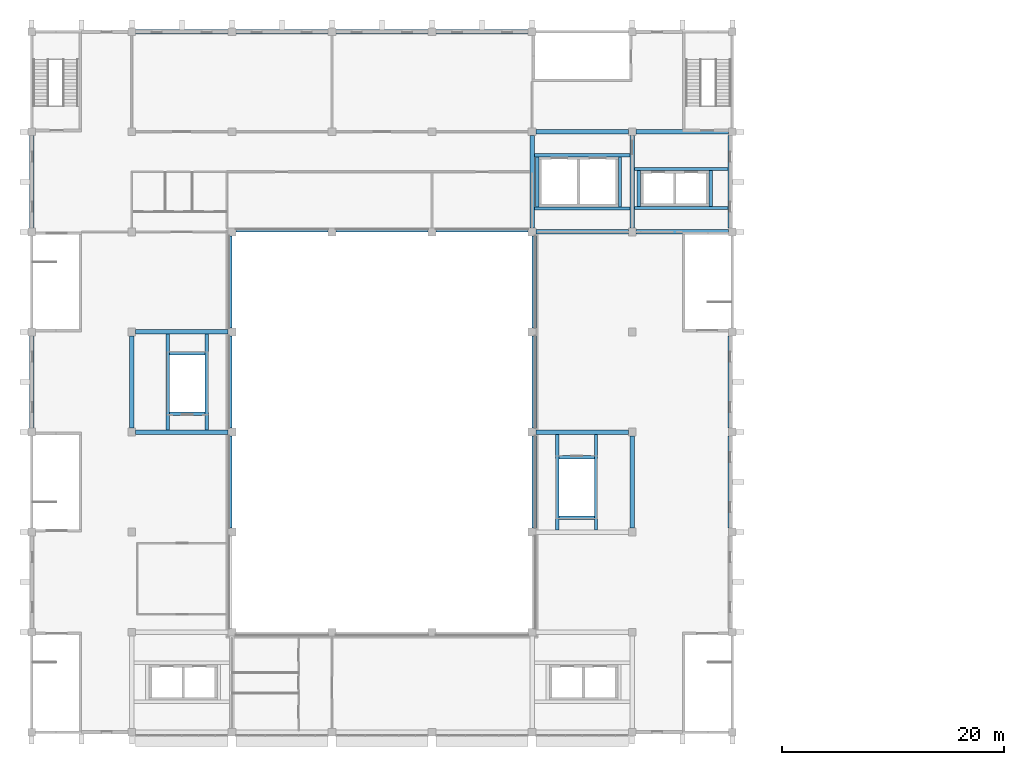
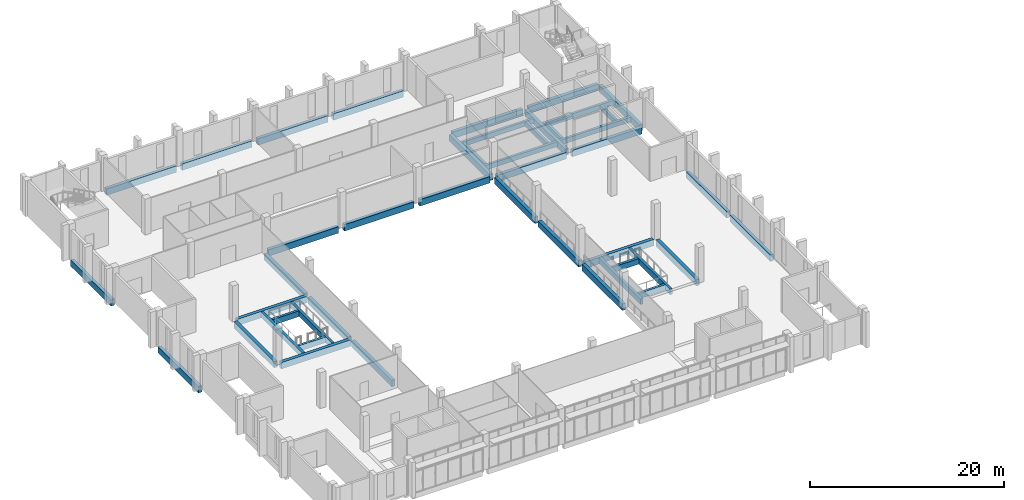
# One storey, part 9 of 40: 45 beams.
"""IFC4 building model written with IfcOpenShell, lengths in metres."""

from ifc_helpers import new_model, si_unit, direction, frame, origin, origin_2d, place, context, subcontext, project, spatial, rectangle, extrude, material, material_profile, profile_set, type_object, element, save


model = new_model("IFC4")

# Units and contexts
model_context = context("Model", 3, precision=1e-05, world=origin(), true_north=direction((0.0, 1.0)))
body_context = subcontext(model_context, "Body", "Model", "MODEL_VIEW")
ifc_project = project(units=[si_unit("LENGTHUNIT", "METRE"), si_unit("AREAUNIT", "SQUARE_METRE"), si_unit("VOLUMEUNIT", "CUBIC_METRE"), si_unit("PLANEANGLEUNIT", "RADIAN"), si_unit("MASSUNIT", "GRAM", prefix="KILO")], contexts=[model_context])

# Site, building, storey
site_placement = place(None, origin())
site = spatial("IfcSite", under=ifc_project, at=site_placement, CompositionType="ELEMENT")
building_placement = place(site_placement, origin())
building = spatial("IfcBuilding", under=site, at=building_placement, Name="Guidao Yard Department Store", CompositionType="ELEMENT")
storey_placement = place(building_placement, frame((0.0, 0.0, 24.0)))
storey = spatial("IfcBuildingStorey", under=building, at=storey_placement, Name="L05", CompositionType="ELEMENT", Elevation=24.0)

# Beams
ifc_material_1 = material(Name="Concrete C40", Category="concrete")
ifc_material_profile_1 = material_profile(ifc_material_1, rectangle(XDim=0.39990234375, YDim=0.800048828125, at=origin_2d()), Name="Edge beam 400 x 800 C40")
ifc_profile_set_1 = profile_set([ifc_material_profile_1], Name="Concrete C40")
beam_type_1 = type_object("IfcBeamType", Name="Edge beam 400 x 800 C40", PredefinedType="BEAM", material=ifc_profile_set_1)
for number, where, z_axis, x_axis, name in (
    (1, (45.199951171875, 63.35009765625, -0.39990234375), (0.0, 1.0, 0.0), (-1.0, 0.0, 0.0), "Beam EB21"),
    (2, (45.199951171875, 72.35009765625, -0.39990234375), (0.0, 1.0, 0.0), (-1.0, 0.0, 0.0), "Beam EB22"),
    (3, (45.199951171875, 81.35009765625, -0.39990234375), (0.0, 1.0, 0.0), (-1.0, 0.0, 0.0), "Beam EB23"),
    (4, (18.35009765625, 90.199951171875, -0.39990234375), (1.0, 0.0, 0.0), (0.0, 1.0, 0.0), "Beam EB24"),
    (5, (27.35009765625, 90.199951171875, -0.39990234375), (1.0, 0.0, 0.0), (0.0, 1.0, 0.0), "Beam EB25"),
    (6, (36.35009765625, 90.199951171875, -0.39990234375), (1.0, 0.0, 0.0), (0.0, 1.0, 0.0), "Beam EB26"),
    (7, (17.800048828125, 63.35009765625, -0.39990234375), (0.0, 1.0, 0.0), (-1.0, 0.0, 0.0), "Beam EB28"),
    (8, (17.800048828125, 72.35009765625, -0.39990234375), (0.0, 1.0, 0.0), (-1.0, 0.0, 0.0), "Beam EB29"),
    (9, (17.800048828125, 81.35009765625, -0.39990234375), (0.0, 1.0, 0.0), (-1.0, 0.0, 0.0), "Beam EB30"),
    (10, (9.35009765625, 72.0, -0.39990234375), (1.0, 0.0, 0.0), (0.0, 1.0, 0.0), "Beam EB34"),
    (11, (9.35009765625, 81.0, -0.39990234375), (1.0, 0.0, 0.0), (0.0, 1.0, 0.0), "Beam EB35"),
    (12, (9.0, 72.35009765625, -0.39990234375), (0.0, 1.0, 0.0), (-1.0, 0.0, 0.0), "Beam EB36"),
    (13, (45.35009765625, 72.0, -0.39990234375), (1.0, 0.0, 0.0), (0.0, 1.0, 0.0), "Beam EB41"),
    (14, (54.0, 63.35009765625, -0.39990234375), (0.0, 1.0, 0.0), (-1.0, 0.0, 0.0), "Beam EB42"),
    (15, (45.35009765625, 90.0, -0.39990234375), (1.0, 0.0, 0.0), (0.0, 1.0, 0.0), "Beam EB43"),
    (16, (45.35009765625, 99.0, -0.39990234375), (1.0, 0.0, 0.0), (0.0, 1.0, 0.0), "Beam EB44"),
    (17, (45.0, 90.35009765625, -0.39990234375), (0.0, 1.0, 0.0), (-1.0, 0.0, 0.0), "Beam EB45"),
    (18, (54.0, 90.35009765625, -0.39990234375), (0.0, 1.0, 0.0), (-1.0, 0.0, 0.0), "Beam EB46"),
    (19, (54.35009765625, 90.0, -0.39990234375), (1.0, 0.0, 0.0), (0.0, 1.0, 0.0), "Beam EB47"),
    (20, (54.35009765625, 99.0, -0.39990234375), (1.0, 0.0, 0.0), (0.0, 1.0, 0.0), "Beam EB48"),
):
    element("IfcBeam", number, at=place(storey_placement, frame(where, z_axis=z_axis, x_axis=x_axis)), inside=storey, type_object=beam_type_1, Name=name, PredefinedType="BEAM", context=body_context, shape_type="SweptSolid", body=[
        extrude(rectangle(XDim=0.39990234375, YDim=0.800048828125, at=origin_2d()), origin(), (0.0, 0.0, 1.0), 8.2998046875),
    ])
ifc_material_2 = material(Name="Concrete C40", Category="concrete")
ifc_material_profile_2 = material_profile(ifc_material_2, rectangle(XDim=0.300048828125, YDim=0.699951171875, at=origin_2d()), Name="Escalator well beam 300 x 700 C40")
ifc_profile_set_2 = profile_set([ifc_material_profile_2], Name="Concrete C40")
beam_type_2 = type_object("IfcBeamType", Name="Escalator well beam 300 x 700 C40", PredefinedType="BEAM", material=ifc_profile_set_2)
for number, where, z_axis, x_axis, name in (
    (21, (12.25, 72.199951171875, -0.35009765625), (0.0, 1.0, 0.0), (-1.0, 0.0, 0.0), "Beam OB05"),
    (22, (15.75, 72.199951171875, -0.35009765625), (0.0, 1.0, 0.0), (-1.0, 0.0, 0.0), "Beam OB06"),
):
    element("IfcBeam", number, at=place(storey_placement, frame(where, z_axis=z_axis, x_axis=x_axis)), inside=storey, type_object=beam_type_2, Name=name, PredefinedType="BEAM", context=body_context, shape_type="SweptSolid", body=[
        extrude(rectangle(XDim=0.300048828125, YDim=0.699951171875, at=origin_2d()), origin(), (0.0, 0.0, 1.0), 8.60009765625),
    ])
for number, where, z_axis, x_axis, name in (
    (23, (12.39990234375, 73.656005859375, -0.35009765625), (1.0, 0.0, 0.0), (0.0, 1.0, 0.0), "Beam OB07"),
    (24, (12.39990234375, 79.093994140625, -0.35009765625), (1.0, 0.0, 0.0), (0.0, 1.0, 0.0), "Beam OB08"),
):
    element("IfcBeam", number, at=place(storey_placement, frame(where, z_axis=z_axis, x_axis=x_axis)), inside=storey, type_object=beam_type_2, Name=name, PredefinedType="BEAM", context=body_context, shape_type="SweptSolid", body=[
        extrude(rectangle(XDim=0.300048828125, YDim=0.699951171875, at=origin_2d()), origin(), (0.0, 0.0, 1.0), 3.2001953125),
    ])
for number, where, z_axis, x_axis, name in (
    (25, (47.25, 63.199951171875, -0.35009765625), (0.0, 1.0, 0.0), (-1.0, 0.0, 0.0), "Beam OB13"),
    (26, (50.75, 63.199951171875, -0.35009765625), (0.0, 1.0, 0.0), (-1.0, 0.0, 0.0), "Beam OB14"),
):
    element("IfcBeam", number, at=place(storey_placement, frame(where, z_axis=z_axis, x_axis=x_axis)), inside=storey, type_object=beam_type_2, Name=name, PredefinedType="BEAM", context=body_context, shape_type="SweptSolid", body=[
        extrude(rectangle(XDim=0.300048828125, YDim=0.699951171875, at=origin_2d()), origin(), (0.0, 0.0, 1.0), 8.60009765625),
    ])
for number, where, z_axis, x_axis, name in (
    (27, (47.39990234375, 64.305908203125, -0.35009765625), (1.0, 0.0, 0.0), (0.0, 1.0, 0.0), "Beam OB15"),
    (28, (47.39990234375, 69.743896484375, -0.35009765625), (1.0, 0.0, 0.0), (0.0, 1.0, 0.0), "Beam OB16"),
):
    element("IfcBeam", number, at=place(storey_placement, frame(where, z_axis=z_axis, x_axis=x_axis)), inside=storey, type_object=beam_type_2, Name=name, PredefinedType="BEAM", context=body_context, shape_type="SweptSolid", body=[
        extrude(rectangle(XDim=0.300048828125, YDim=0.699951171875, at=origin_2d()), origin(), (0.0, 0.0, 1.0), 3.2001953125),
    ])
ifc_material_3 = material(Name="Concrete C40", Category="concrete")
ifc_material_profile_3 = material_profile(ifc_material_3, rectangle(XDim=0.300048828125, YDim=0.60009765625, at=origin_2d()), Name="Opening beam 300 x 600 C40")
ifc_profile_set_3 = profile_set([ifc_material_profile_3], Name="Concrete C40")
beam_type_3 = type_object("IfcBeamType", Name="Opening beam 300 x 600 C40", PredefinedType="BEAM", material=ifc_profile_set_3)
for number, where, z_axis, x_axis, name in (
    (29, (45.199951171875, 92.10009765625, -0.300048828125), (1.0, 0.0, 0.0), (0.0, 1.0, 0.0), "Beam OB17"),
    (30, (45.199951171875, 96.89990234375, -0.300048828125), (1.0, 0.0, 0.0), (0.0, 1.0, 0.0), "Beam OB18"),
):
    element("IfcBeam", number, at=place(storey_placement, frame(where, z_axis=z_axis, x_axis=x_axis)), inside=storey, type_object=beam_type_3, Name=name, PredefinedType="BEAM", context=body_context, shape_type="SweptSolid", body=[
        extrude(rectangle(XDim=0.300048828125, YDim=0.60009765625, at=origin_2d()), origin(), (0.0, 0.0, 1.0), 8.60009765625),
    ])
for number, where, z_axis, x_axis, name in (
    (31, (45.449951171875, 92.25, -0.300048828125), (0.0, 1.0, 0.0), (-1.0, 0.0, 0.0), "Beam OB19"),
    (32, (52.89990234375, 92.25, -0.300048828125), (0.0, 1.0, 0.0), (-1.0, 0.0, 0.0), "Beam OB20"),
):
    element("IfcBeam", number, at=place(storey_placement, frame(where, z_axis=z_axis, x_axis=x_axis)), inside=storey, type_object=beam_type_3, Name=name, PredefinedType="BEAM", context=body_context, shape_type="SweptSolid", body=[
        extrude(rectangle(XDim=0.300048828125, YDim=0.60009765625, at=origin_2d()), origin(), (0.0, 0.0, 1.0), 4.5),
    ])
for number, where, z_axis, x_axis, name in (
    (33, (54.199951171875, 92.14990234375, -0.300048828125), (1.0, 0.0, 0.0), (0.0, 1.0, 0.0), "Beam OB21"),
    (34, (54.199951171875, 95.64990234375, -0.300048828125), (1.0, 0.0, 0.0), (0.0, 1.0, 0.0), "Beam OB22"),
):
    element("IfcBeam", number, at=place(storey_placement, frame(where, z_axis=z_axis, x_axis=x_axis)), inside=storey, type_object=beam_type_3, Name=name, PredefinedType="BEAM", context=body_context, shape_type="SweptSolid", body=[
        extrude(rectangle(XDim=0.300048828125, YDim=0.60009765625, at=origin_2d()), origin(), (0.0, 0.0, 1.0), 8.400146484375),
    ])
for number, where, z_axis, x_axis, name in (
    (35, (54.60009765625, 92.300048828125, -0.300048828125), (0.0, 1.0, 0.0), (-1.0, 0.0, 0.0), "Beam OB23"),
    (36, (61.050048828125, 92.300048828125, -0.300048828125), (0.0, 1.0, 0.0), (-1.0, 0.0, 0.0), "Beam OB24"),
):
    element("IfcBeam", number, at=place(storey_placement, frame(where, z_axis=z_axis, x_axis=x_axis)), inside=storey, type_object=beam_type_3, Name=name, PredefinedType="BEAM", context=body_context, shape_type="SweptSolid", body=[
        extrude(rectangle(XDim=0.300048828125, YDim=0.60009765625, at=origin_2d()), origin(), (0.0, 0.0, 1.0), 3.199951171875),
    ])
ifc_material_4 = material(Name="Concrete C40", Category="concrete")
ifc_material_profile_4 = material_profile(ifc_material_4, rectangle(XDim=0.39990234375, YDim=0.800048828125, at=origin_2d()), Name="Spandrel beam 400 x 800 C40")
ifc_profile_set_4 = profile_set([ifc_material_profile_4], Name="Concrete C40")
beam_type_4 = type_object("IfcBeamType", Name="Spandrel beam 400 x 800 C40", PredefinedType="SPANDREL", material=ifc_profile_set_4)
for number, where, z_axis, x_axis, name in (
    (37, (0.0, 72.35009765625, -0.39990234375), (0.0, 1.0, 0.0), (-1.0, 0.0, 0.0), "Beam EB07"),
    (38, (0.0, 90.35009765625, -0.39990234375), (0.0, 1.0, 0.0), (-1.0, 0.0, 0.0), "Beam EB08"),
    (39, (9.35009765625, 108.0, -0.39990234375), (1.0, 0.0, 0.0), (0.0, 1.0, 0.0), "Beam EB09"),
    (40, (18.35009765625, 108.0, -0.39990234375), (1.0, 0.0, 0.0), (0.0, 1.0, 0.0), "Beam EB10"),
    (41, (27.35009765625, 108.0, -0.39990234375), (1.0, 0.0, 0.0), (0.0, 1.0, 0.0), "Beam EB11"),
    (42, (36.35009765625, 108.0, -0.39990234375), (1.0, 0.0, 0.0), (0.0, 1.0, 0.0), "Beam EB12"),
    (43, (62.800048828125, 90.35009765625, -0.39990234375), (0.0, 1.0, 0.0), (-1.0, 0.0, 0.0), "Beam EB13"),
    (44, (62.800048828125, 63.35009765625, -0.39990234375), (0.0, 1.0, 0.0), (-1.0, 0.0, 0.0), "Beam EB15"),
    (45, (62.800048828125, 72.35009765625, -0.39990234375), (0.0, 1.0, 0.0), (-1.0, 0.0, 0.0), "Beam EB16"),
):
    element("IfcBeam", number, at=place(storey_placement, frame(where, z_axis=z_axis, x_axis=x_axis)), inside=storey, type_object=beam_type_4, Name=name, PredefinedType="SPANDREL", context=body_context, shape_type="SweptSolid", body=[
        extrude(rectangle(XDim=0.39990234375, YDim=0.800048828125, at=origin_2d()), origin(), (0.0, 0.0, 1.0), 8.2998046875),
    ])

save(model, "model.ifc")
